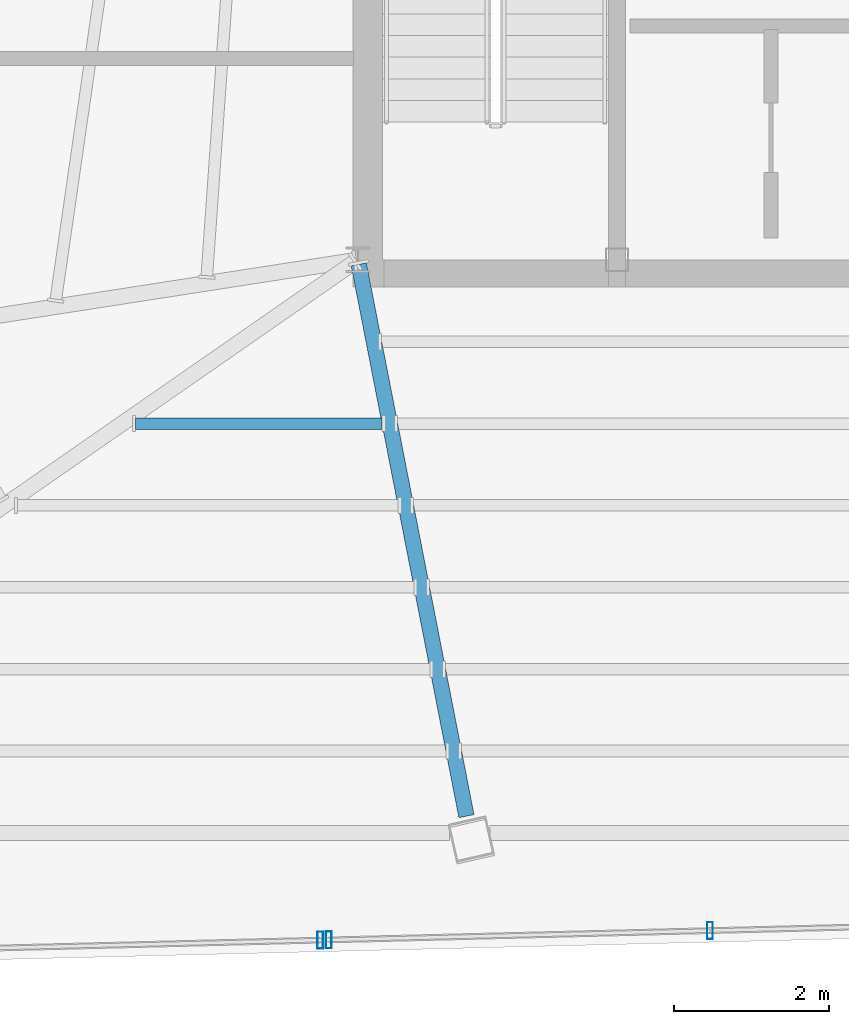
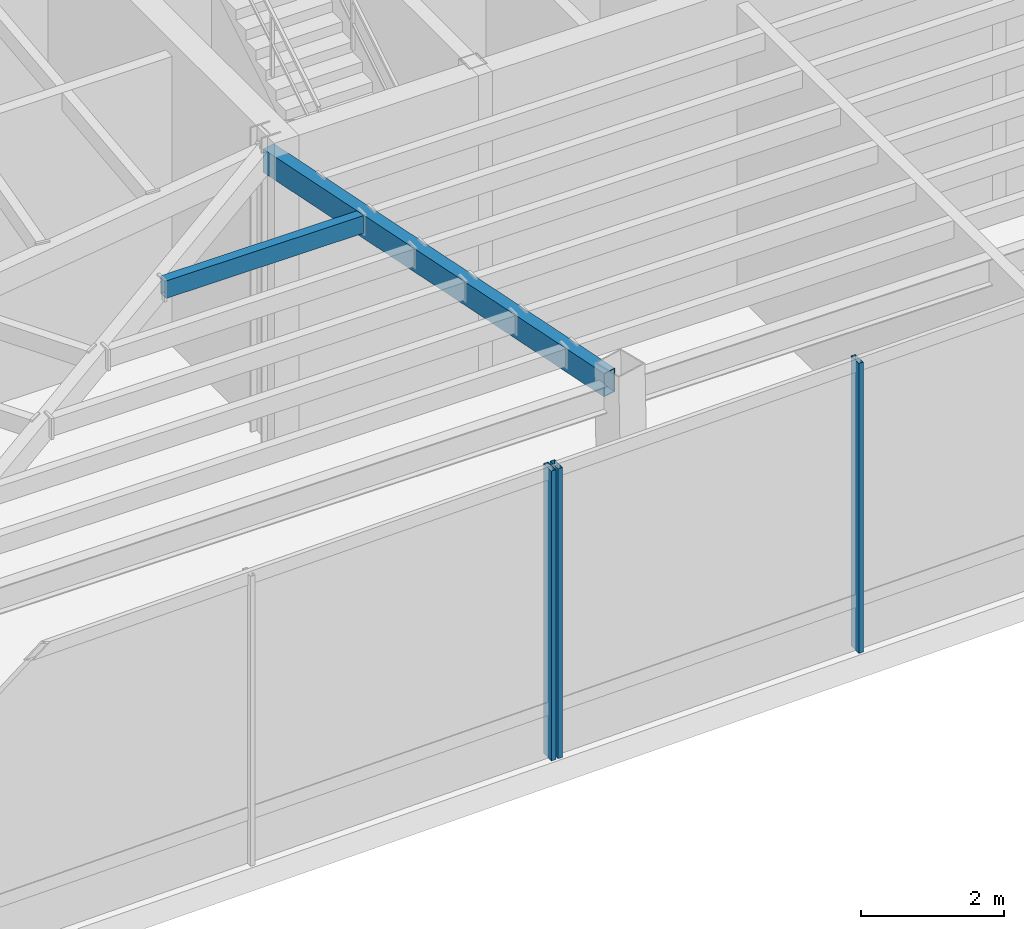
# One storey, part 7 of 25: 3 members, 2 beams, 2 elements without a shape of their own.
"""IFC4 building model written with IfcOpenShell, lengths in metres."""

from ifc_helpers import new_model, si_unit, direction, frame, origin, origin_2d, place, context, subcontext, project, spatial, hollow_rectangle, extrude, source, transform, mapped, material, material_profile, profile_set, type_object, type_shapes, element, aggregate, save


model = new_model("IFC4")

# Units and contexts
model_context = context("Model", 3, precision=1e-05, world=origin(), true_north=direction((0.0, 1.0)))
body_context = subcontext(model_context, "Body", "Model", "MODEL_VIEW")
ifc_project = project(units=[si_unit("LENGTHUNIT", "METRE"), si_unit("AREAUNIT", "SQUARE_METRE"), si_unit("VOLUMEUNIT", "CUBIC_METRE"), si_unit("PLANEANGLEUNIT", "RADIAN"), si_unit("MASSUNIT", "GRAM", prefix="KILO")], contexts=[model_context])

# Site, building, storey
site_placement = place(None, origin())
site = spatial("IfcSite", under=ifc_project, at=site_placement, CompositionType="ELEMENT")
building_placement = place(site_placement, origin())
building = spatial("IfcBuilding", under=site, at=building_placement, Name="Caelisora Broadcast Tower", CompositionType="ELEMENT")
storey_placement = place(building_placement, frame((0.0, 0.0, 284.60009765625)))
storey = spatial("IfcBuildingStorey", under=building, at=storey_placement, Name="L75", CompositionType="ELEMENT", Elevation=284.60009765625)

# Beams
ifc_material_1 = material(Name="Steel Grade 350 (AS/NZS 1163 C350L0)", Category="steel")
ifc_material_profile_1 = material_profile(ifc_material_1, hollow_rectangle(XDim=0.199951171875, YDim=0.39990234375, WallThickness=0.012451171875, at=origin_2d()), Name="Steel Grade 350 (AS/NZS 1163 C350L0)")
ifc_profile_set_1 = profile_set([ifc_material_profile_1], Name="Steel Grade 350 (AS/NZS 1163 C350L0)")
beam_type_1 = type_object("IfcBeamType", Name="PG07", PredefinedType="BEAM", material=ifc_profile_set_1)
shared_shape_1 = source(origin(), body_context, "Body", "SweptSolid", [
    extrude(hollow_rectangle(XDim=0.199951171875, YDim=0.39990234375, WallThickness=0.012451171875, at=origin_2d()), origin(), (0.0, 0.0, 1.0), 7.26611328125),
])
type_shapes(beam_type_1, [shared_shape_1])
beam_1_placement = place(storey_placement, frame((30.511474609375, 17.341064453125, 4.75), z_axis=(0.191552200086, -0.981482427067, 0.0), x_axis=(0.981482427067, 0.191552200086, 0.0)))
element("IfcBeam", 1, at=beam_1_placement, inside=storey, type_object=beam_type_1, Name="L75 beam PG07", PredefinedType="BEAM", context=body_context, shape_type="MappedRepresentation", body=[
    mapped(shared_shape_1, transform((0.0, 0.0, 0.0), scale=1.0)),
])
ifc_material_profile_2 = material_profile(ifc_material_1, hollow_rectangle(XDim=0.14990234375, YDim=0.300048828125, WallThickness=0.010009765625, at=origin_2d()), Name="Steel Grade 350 (AS/NZS 1163 C350L0)")
ifc_profile_set_2 = profile_set([ifc_material_profile_2], Name="Steel Grade 350 (AS/NZS 1163 C350L0)")
beam_type_2 = type_object("IfcBeamType", Name="SB05", PredefinedType="JOIST", material=ifc_profile_set_2)
shared_shape_2 = source(origin(), body_context, "Body", "SweptSolid", [
    extrude(hollow_rectangle(XDim=0.14990234375, YDim=0.300048828125, WallThickness=0.010009765625, at=origin_2d()), origin(), (0.0, 0.0, 1.0), 3.188720703125),
])
type_shapes(beam_type_2, [shared_shape_2])
beam_2_placement = place(storey_placement, frame((27.62548828125, 15.283935546875, 4.7998046875), z_axis=(1.0, 0.0, 0.0), x_axis=(0.0, 1.0, 0.0)))
element("IfcBeam", 2, at=beam_2_placement, inside=storey, type_object=beam_type_2, Name="L75 beam SB05", PredefinedType="JOIST", context=body_context, shape_type="MappedRepresentation", body=[
    mapped(shared_shape_2, transform((0.0, 0.0, 0.0), scale=1.0)),
])

# Curtain wall, members
ifc_material_2 = material(Name="Unitised Aluminium and Low-E Glass Curtain Wall", Category="glass")
curtain_wall_type = type_object("IfcCurtainWallType", Name="CW-TMD", PredefinedType="NOTDEFINED", material=ifc_material_2)
curtain_wall_1_placement = place(storey_placement, origin())
curtain_wall_1 = element("IfcCurtainWall", 3, at=curtain_wall_1_placement, inside=storey, type_object=curtain_wall_type, Name="L75 curtain wall CW-TMD", PredefinedType="NOTDEFINED")
ifc_material_3 = material(Name="Aluminium 6063-T6 Anodised Terracotta Bronze", Category="aluminium")
ifc_material_profile_3 = material_profile(ifc_material_3, hollow_rectangle(XDim=0.074951171875, YDim=0.219970703125, WallThickness=0.00390625, at=origin_2d()), Name="Aluminium 6063-T6 Anodised Terracotta Bronze")
ifc_profile_set_3 = profile_set([ifc_material_profile_3], Name="Aluminium 6063-T6 Anodised Terracotta Bronze")
member_type = type_object("IfcMemberType", Name="CWM-01", PredefinedType="MULLION", material=ifc_profile_set_3)
shared_shape_3 = source(origin(), body_context, "Body", "SweptSolid", [
    extrude(hollow_rectangle(XDim=0.074951171875, YDim=0.219970703125, WallThickness=0.00390625, at=origin_2d()), origin(), (0.0, 0.0, 1.0), 4.949951171875),
])
type_shapes(member_type, [shared_shape_3])
member_1_placement = place(storey_placement, frame((35.051025390625, 8.730224609375, 0.0), z_axis=(0.0, 0.0, 1.0), x_axis=(1.0, 0.0, 0.0)))
member_1 = element("IfcMember", 4, at=member_1_placement, type_object=member_type, Name="L75-CW-B06 mullion #2", PredefinedType="MULLION", context=body_context, shape_type="MappedRepresentation", body=[
    mapped(shared_shape_3, transform((0.0, 0.0, 0.0), scale=1.0)),
])
member_2_placement = place(storey_placement, frame((30.123046875, 8.610107421875, 0.0), z_axis=(0.0, 0.0, 1.0), x_axis=(1.0, 0.0, 0.0)))
member_2 = element("IfcMember", 5, at=member_2_placement, type_object=member_type, Name="L75-CW-B06 mullion #3", PredefinedType="MULLION", context=body_context, shape_type="MappedRepresentation", body=[
    mapped(shared_shape_3, transform((0.0, 0.0, 0.0), scale=1.0)),
])
aggregate(curtain_wall_1, [member_1, member_2])

# Curtain wall, member
curtain_wall_2_placement = place(storey_placement, origin())
curtain_wall_2 = element("IfcCurtainWall", 6, at=curtain_wall_2_placement, inside=storey, type_object=curtain_wall_type, Name="L75 curtain wall CW-TMD", PredefinedType="NOTDEFINED")
member_3_placement = place(storey_placement, frame((30.012939453125, 8.607421875, 0.0), z_axis=(0.0, 0.0, 1.0), x_axis=(1.0, 0.0, 0.0)))
member_3 = element("IfcMember", 7, at=member_3_placement, type_object=member_type, Name="L75-CW-B07 mullion #0", PredefinedType="MULLION", context=body_context, shape_type="MappedRepresentation", body=[
    mapped(shared_shape_3, transform((0.0, 0.0, 0.0), scale=1.0)),
])
aggregate(curtain_wall_2, [member_3])

save(model, "model.ifc")
